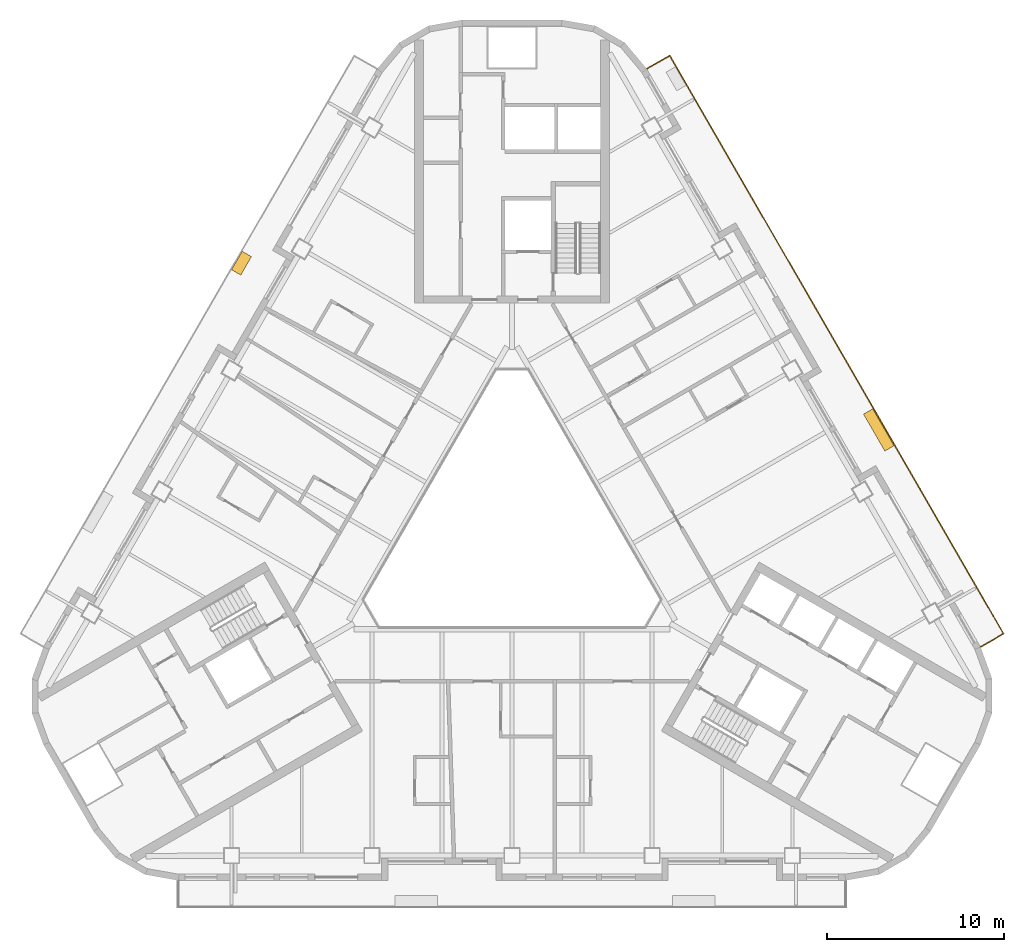
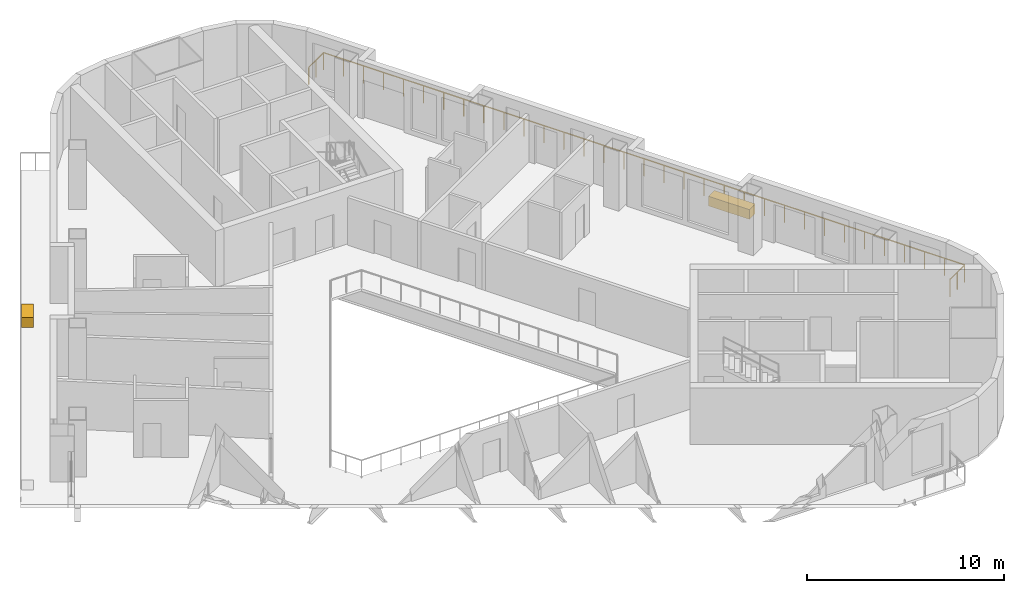
# One storey, part 12 of 13: 2 coverings, 1 railing.
"""IFC4 building model written with IfcOpenShell, lengths in metres."""

from ifc_helpers import new_model, si_unit, direction, frame, origin, origin_2d, place, context, subcontext, project, spatial, rectangle, extrude, material, type_object, element, save


model = new_model("IFC4")

# Units and contexts
model_context = context("Model", 3, precision=1e-05, world=origin(), true_north=direction((0.0, 1.0)))
body_context = subcontext(model_context, "Body", "Model", "MODEL_VIEW")
ifc_project = project(units=[si_unit("LENGTHUNIT", "METRE"), si_unit("AREAUNIT", "SQUARE_METRE"), si_unit("VOLUMEUNIT", "CUBIC_METRE"), si_unit("PLANEANGLEUNIT", "RADIAN"), si_unit("MASSUNIT", "GRAM", prefix="KILO")], contexts=[model_context])

# Site, building, storey
site_placement = place(None, origin())
site = spatial("IfcSite", under=ifc_project, at=site_placement, CompositionType="ELEMENT")
building_placement = place(site_placement, origin())
building = spatial("IfcBuilding", under=site, at=building_placement, Name="Apuvela Tower Hotel", CompositionType="ELEMENT")
storey_placement = place(building_placement, frame((0.0, 0.0, 94.60009765625)))
storey = spatial("IfcBuildingStorey", under=building, at=storey_placement, Name="L21", CompositionType="ELEMENT", Elevation=94.60009765625)

# Railing
ifc_material_1 = material(Name="Stainless steel 316 rail with laminated glass infill", Category="steel")
railing_type = type_object("IfcRailingType", Name="ENV-GUARD-1100", PredefinedType="GUARDRAIL", material=ifc_material_1)
railing_placement = place(storey_placement, frame((26.407958984375, -6.47998046875, 0.0)))
element("IfcRailing", 1, at=railing_placement, inside=storey, type_object=railing_type, Name="Balcony guard NE L21", PredefinedType="GUARDRAIL", context=body_context, shape_type="SweptSolid", body=[
    extrude(rectangle(XDim=0.050048828125, YDim=0.050048828125, at=origin_2d()), frame((0.0, 0.0, 1.0751953125), z_axis=(0.866031096941, 0.499990139034, 0.0), x_axis=(-0.499990139034, 0.866031096941, 0.0)), (0.0, 0.0, 1.0), 1.5),
    extrude(rectangle(XDim=0.050048828125, YDim=0.050048828125, at=origin_2d()), frame((1.299072265625, 0.75, 1.0751953125), z_axis=(-0.500000437506, 0.86602515119, 0.0), x_axis=(-0.86602515119, -0.500000437506, 0.0)), (0.0, 0.0, 1.0), 37.6318359375),
    extrude(rectangle(XDim=0.050048828125, YDim=0.050048828125, at=origin_2d()), frame((-17.516845703125, 33.340087890625, 1.0751953125), z_axis=(-0.86599040064, -0.500060622324, 0.0), x_axis=(0.500060622324, -0.86599040064, 0.0)), (0.0, 0.0, 1.0), 1.499755859375),
    extrude(rectangle(XDim=0.0400390625, YDim=0.0400390625, at=origin_2d()), origin(), (0.0, 0.0, 1.0), 1.050048828125),
    extrude(rectangle(XDim=0.0400390625, YDim=0.0400390625, at=origin_2d()), frame((0.6494140625, 0.375, 0.0)), (0.0, 0.0, 1.0), 1.050048828125),
    extrude(rectangle(XDim=0.0400390625, YDim=0.0400390625, at=origin_2d()), frame((1.299072265625, 0.75, 0.0)), (0.0, 0.0, 1.0), 1.050048828125),
    extrude(rectangle(XDim=0.0400390625, YDim=0.0400390625, at=origin_2d()), frame((0.711181640625, 1.7685546875, 0.0)), (0.0, 0.0, 1.0), 1.050048828125),
    extrude(rectangle(XDim=0.0400390625, YDim=0.0400390625, at=origin_2d()), frame((0.123046875, 2.786865234375, 0.0)), (0.0, 0.0, 1.0), 1.050048828125),
    extrude(rectangle(XDim=0.0400390625, YDim=0.0400390625, at=origin_2d()), frame((-0.46484375, 3.805419921875, 0.0)), (0.0, 0.0, 1.0), 1.050048828125),
    extrude(rectangle(XDim=0.0400390625, YDim=0.0400390625, at=origin_2d()), frame((-1.052978515625, 4.82373046875, 0.0)), (0.0, 0.0, 1.0), 1.050048828125),
    extrude(rectangle(XDim=0.0400390625, YDim=0.0400390625, at=origin_2d()), frame((-1.640869140625, 5.84228515625, 0.0)), (0.0, 0.0, 1.0), 1.050048828125),
    extrude(rectangle(XDim=0.0400390625, YDim=0.0400390625, at=origin_2d()), frame((-2.22900390625, 6.860595703125, 0.0)), (0.0, 0.0, 1.0), 1.050048828125),
    extrude(rectangle(XDim=0.0400390625, YDim=0.0400390625, at=origin_2d()), frame((-2.81689453125, 7.879150390625, 0.0)), (0.0, 0.0, 1.0), 1.050048828125),
    extrude(rectangle(XDim=0.0400390625, YDim=0.0400390625, at=origin_2d()), frame((-3.40478515625, 8.8974609375, 0.0)), (0.0, 0.0, 1.0), 1.050048828125),
    extrude(rectangle(XDim=0.0400390625, YDim=0.0400390625, at=origin_2d()), frame((-3.992919921875, 9.916015625, 0.0)), (0.0, 0.0, 1.0), 1.050048828125),
    extrude(rectangle(XDim=0.0400390625, YDim=0.0400390625, at=origin_2d()), frame((-4.580810546875, 10.934326171875, 0.0)), (0.0, 0.0, 1.0), 1.050048828125),
    extrude(rectangle(XDim=0.0400390625, YDim=0.0400390625, at=origin_2d()), frame((-5.1689453125, 11.952880859375, 0.0)), (0.0, 0.0, 1.0), 1.050048828125),
    extrude(rectangle(XDim=0.0400390625, YDim=0.0400390625, at=origin_2d()), frame((-5.7568359375, 12.97119140625, 0.0)), (0.0, 0.0, 1.0), 1.050048828125),
    extrude(rectangle(XDim=0.0400390625, YDim=0.0400390625, at=origin_2d()), frame((-6.344970703125, 13.98974609375, 0.0)), (0.0, 0.0, 1.0), 1.050048828125),
    extrude(rectangle(XDim=0.0400390625, YDim=0.0400390625, at=origin_2d()), frame((-6.932861328125, 15.008056640625, 0.0)), (0.0, 0.0, 1.0), 1.050048828125),
    extrude(rectangle(XDim=0.0400390625, YDim=0.0400390625, at=origin_2d()), frame((-7.52099609375, 16.026611328125, 0.0)), (0.0, 0.0, 1.0), 1.050048828125),
    extrude(rectangle(XDim=0.0400390625, YDim=0.0400390625, at=origin_2d()), frame((-8.10888671875, 17.044921875, 0.0)), (0.0, 0.0, 1.0), 1.050048828125),
    extrude(rectangle(XDim=0.0400390625, YDim=0.0400390625, at=origin_2d()), frame((-8.69677734375, 18.0634765625, 0.0)), (0.0, 0.0, 1.0), 1.050048828125),
    extrude(rectangle(XDim=0.0400390625, YDim=0.0400390625, at=origin_2d()), frame((-9.284912109375, 19.08203125, 0.0)), (0.0, 0.0, 1.0), 1.050048828125),
    extrude(rectangle(XDim=0.0400390625, YDim=0.0400390625, at=origin_2d()), frame((-9.872802734375, 20.100341796875, 0.0)), (0.0, 0.0, 1.0), 1.050048828125),
    extrude(rectangle(XDim=0.0400390625, YDim=0.0400390625, at=origin_2d()), frame((-10.4609375, 21.118896484375, 0.0)), (0.0, 0.0, 1.0), 1.050048828125),
    extrude(rectangle(XDim=0.0400390625, YDim=0.0400390625, at=origin_2d()), frame((-11.048828125, 22.13720703125, 0.0)), (0.0, 0.0, 1.0), 1.050048828125),
    extrude(rectangle(XDim=0.0400390625, YDim=0.0400390625, at=origin_2d()), frame((-11.636962890625, 23.15576171875, 0.0)), (0.0, 0.0, 1.0), 1.050048828125),
    extrude(rectangle(XDim=0.0400390625, YDim=0.0400390625, at=origin_2d()), frame((-12.224853515625, 24.174072265625, 0.0)), (0.0, 0.0, 1.0), 1.050048828125),
    extrude(rectangle(XDim=0.0400390625, YDim=0.0400390625, at=origin_2d()), frame((-12.81298828125, 25.192626953125, 0.0)), (0.0, 0.0, 1.0), 1.050048828125),
    extrude(rectangle(XDim=0.0400390625, YDim=0.0400390625, at=origin_2d()), frame((-13.40087890625, 26.2109375, 0.0)), (0.0, 0.0, 1.0), 1.050048828125),
    extrude(rectangle(XDim=0.0400390625, YDim=0.0400390625, at=origin_2d()), frame((-13.98876953125, 27.2294921875, 0.0)), (0.0, 0.0, 1.0), 1.050048828125),
    extrude(rectangle(XDim=0.0400390625, YDim=0.0400390625, at=origin_2d()), frame((-14.576904296875, 28.247802734375, 0.0)), (0.0, 0.0, 1.0), 1.050048828125),
    extrude(rectangle(XDim=0.0400390625, YDim=0.0400390625, at=origin_2d()), frame((-15.164794921875, 29.266357421875, 0.0)), (0.0, 0.0, 1.0), 1.050048828125),
    extrude(rectangle(XDim=0.0400390625, YDim=0.0400390625, at=origin_2d()), frame((-15.7529296875, 30.28466796875, 0.0)), (0.0, 0.0, 1.0), 1.050048828125),
    extrude(rectangle(XDim=0.0400390625, YDim=0.0400390625, at=origin_2d()), frame((-16.3408203125, 31.30322265625, 0.0)), (0.0, 0.0, 1.0), 1.050048828125),
    extrude(rectangle(XDim=0.0400390625, YDim=0.0400390625, at=origin_2d()), frame((-16.928955078125, 32.321533203125, 0.0)), (0.0, 0.0, 1.0), 1.050048828125),
    extrude(rectangle(XDim=0.0400390625, YDim=0.0400390625, at=origin_2d()), frame((-17.516845703125, 33.340087890625, 0.0)), (0.0, 0.0, 1.0), 1.050048828125),
    extrude(rectangle(XDim=0.0400390625, YDim=0.0400390625, at=origin_2d()), frame((-18.166259765625, 32.965087890625, 0.0)), (0.0, 0.0, 1.0), 1.050048828125),
    extrude(rectangle(XDim=0.0400390625, YDim=0.0400390625, at=origin_2d()), frame((-18.815673828125, 32.590087890625, 0.0)), (0.0, 0.0, 1.0), 1.050048828125),
])

# Coverings
ifc_material_2 = material(Name="Planting substrate and soil, planted")
covering_type_1 = type_object("IfcCoveringType", Name="ENV-PLANTER-1200x600", PredefinedType="USERDEFINED", material=ifc_material_2)
covering_1_placement = place(storey_placement, frame((-15.24609375, 15.1533203125, -0.000244140625), z_axis=(0.0, 0.0, 1.0), x_axis=(-0.5, -0.866025403784, 0.0)))
element("IfcCovering", 2, at=covering_1_placement, inside=storey, type_object=covering_type_1, Name="Planter NW5", ObjectType="PLANTER", PredefinedType="USERDEFINED", context=body_context, shape_type="SweptSolid", body=[
    extrude(rectangle(XDim=1.199951171875, YDim=0.60009765625, at=origin_2d()), origin(), (0.0, 0.0, 1.0), 0.60009765625),
])
covering_type_2 = type_object("IfcCoveringType", Name="ENV-PLANTER-2400x600", PredefinedType="USERDEFINED", material=ifc_material_2)
covering_2_placement = place(storey_placement, frame((20.6708984375, 5.756591796875, -0.000244140625), z_axis=(0.0, 0.0, 1.0), x_axis=(-0.5, 0.866025403784, 0.0)))
element("IfcCovering", 3, at=covering_2_placement, inside=storey, type_object=covering_type_2, Name="Planter NE3", ObjectType="PLANTER", PredefinedType="USERDEFINED", context=body_context, shape_type="SweptSolid", body=[
    extrude(rectangle(XDim=2.39990234375, YDim=0.60009765625, at=origin_2d()), origin(), (0.0, 0.0, 1.0), 0.60009765625),
])

save(model, "model.ifc")
